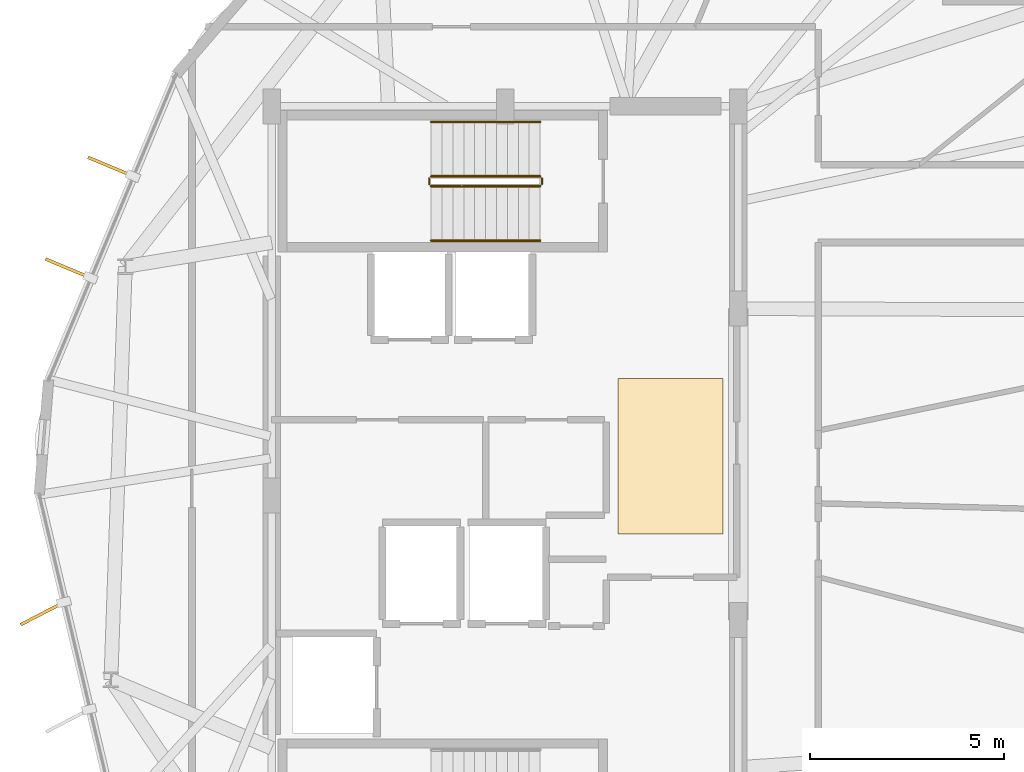
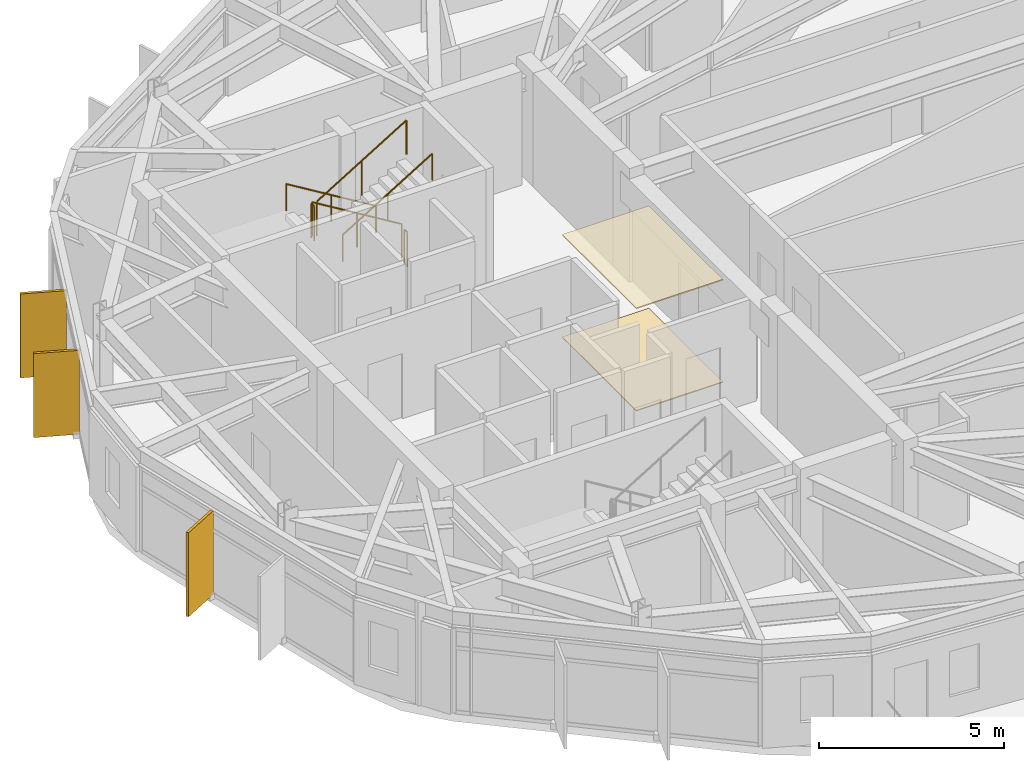
# One storey, part 22 of 23: 6 railings, 3 shading devices, 2 coverings.
"""IFC4 building model written with IfcOpenShell, lengths in metres."""

from ifc_helpers import new_model, si_unit, direction, frame, origin, origin_2d, place, context, subcontext, project, spatial, polyline, rectangle, circle, outline, extrude, material, layer, layer_set, type_object, element, save


model = new_model("IFC4")

# Units and contexts
model_context = context("Model", 3, precision=1e-05, world=origin(), true_north=direction((0.0, 1.0)))
body_context = subcontext(model_context, "Body", "Model", "MODEL_VIEW")
ifc_project = project(units=[si_unit("LENGTHUNIT", "METRE"), si_unit("AREAUNIT", "SQUARE_METRE"), si_unit("VOLUMEUNIT", "CUBIC_METRE"), si_unit("PLANEANGLEUNIT", "RADIAN"), si_unit("MASSUNIT", "GRAM", prefix="KILO")], contexts=[model_context])

# Site, building, storey
site_placement = place(None, origin())
site = spatial("IfcSite", under=ifc_project, at=site_placement, CompositionType="ELEMENT")
building_placement = place(site_placement, origin())
building = spatial("IfcBuilding", under=site, at=building_placement, Name="Soratama Intermodal Tower", CompositionType="ELEMENT")
storey_placement = place(building_placement, frame((0.0, 0.0, 280.0)))
storey = spatial("IfcBuildingStorey", under=building, at=storey_placement, Name="L71", CompositionType="ELEMENT", Elevation=280.0)

# Coverings
ifc_material_1 = material(Name="Perforated mineral acoustic ceiling", Category="concrete")
ifc_layer_1 = layer(ifc_material_1, 0.0400390625)
ifc_layer_set_1 = layer_set([ifc_layer_1], Name="Perforated mineral acoustic ceiling")
covering_type_1 = type_object("IfcCoveringType", Name="CV-CEIL-ACOUSTIC", PredefinedType="CEILING", material=ifc_layer_set_1)
covering_1_placement = place(storey_placement, frame((0.0, 0.0, 3.3701171875)))
element("IfcCovering", 1, at=covering_1_placement, inside=storey, type_object=covering_type_1, Name="L71 Acoustic Ceiling", PredefinedType="CEILING", context=body_context, shape_type="SweptSolid", body=[
    extrude(outline(polyline([(41.5, 24.0), (44.199951171875, 24.0), (44.199951171875, 28.0), (41.5, 28.0), (41.5, 24.0)])), origin(), (0.0, 0.0, 1.0), 0.039794921875),
])
ifc_material_2 = material(Name="Polished Andean stone terrazzo flooring", Category="masonry")
ifc_layer_2 = layer(ifc_material_2, 0.030029296875)
ifc_layer_set_2 = layer_set([ifc_layer_2], Name="Polished Andean stone terrazzo flooring")
covering_type_2 = type_object("IfcCoveringType", Name="CV-FLOR-TERRAZZO", PredefinedType="FLOORING", material=ifc_layer_set_2)
covering_2_placement = place(storey_placement, origin())
element("IfcCovering", 2, at=covering_2_placement, inside=storey, type_object=covering_type_2, Name="L71 Lobby Terrazzo Flooring", PredefinedType="FLOORING", context=body_context, shape_type="SweptSolid", body=[
    extrude(outline(polyline([(41.5, 24.0), (44.199951171875, 24.0), (44.199951171875, 28.0), (41.5, 28.0), (41.5, 24.0)])), origin(), (0.0, 0.0, 1.0), 0.030029296875),
])

# Railings
ifc_material_3 = material(Name="Painted steel stair guardrail", Category="steel")
railing_type_1 = type_object("IfcRailingType", Name="RL-STAIR-GUARD", PredefinedType="GUARDRAIL", material=ifc_material_3)
railing_1_placement = place(storey_placement, frame((39.5, 33.199951171875, 0.17041015625)))
element("IfcRailing", 3, at=railing_1_placement, inside=storey, type_object=railing_type_1, Name="L71 ST-2 stair guard 1", PredefinedType="GUARDRAIL", context=body_context, shape_type="SweptSolid", body=[
    extrude(circle(Radius=0.02392578125, at=origin_2d()), frame((0.0, 0.0, 1.1259765625), z_axis=(-0.854169791009, 0.0, 0.51999420009), x_axis=(0.0, -1.0, 0.0)), (0.0, 0.0, 1.0), 3.278076171875),
    extrude(circle(Radius=0.02099609375, at=origin_2d()), origin(), (0.0, 0.0, 1.0), 1.101806640625),
    extrude(circle(Radius=0.02099609375, at=origin_2d()), frame((-1.39990234375, 0.0, 0.852294921875)), (0.0, 0.0, 1.0), 1.101806640625),
    extrude(circle(Radius=0.02099609375, at=origin_2d()), frame((-2.800048828125, 0.0, 1.70458984375)), (0.0, 0.0, 1.0), 1.101806640625),
])
railing_2_placement = place(storey_placement, frame((36.64990234375, 33.14990234375, 1.875)))
element("IfcRailing", 4, at=railing_2_placement, inside=storey, type_object=railing_type_1, Name="L71 ST-2 stair guard 2", PredefinedType="GUARDRAIL", context=body_context, shape_type="SweptSolid", body=[
    extrude(circle(Radius=0.02392578125, at=origin_2d()), frame((0.0, 0.0, 1.1259765625), z_axis=(0.0, -1.0, 0.0), x_axis=(1.0, 0.0, 0.0)), (0.0, 0.0, 1.0), 0.14990234375),
    extrude(circle(Radius=0.02099609375, at=origin_2d()), origin(), (0.0, 0.0, 1.0), 1.101806640625),
    extrude(circle(Radius=0.02099609375, at=origin_2d()), frame((0.0, -0.14990234375, 0.0)), (0.0, 0.0, 1.0), 1.101806640625),
])
railing_3_placement = place(storey_placement, frame((36.699951171875, 32.949951171875, 2.04541015625)))
element("IfcRailing", 5, at=railing_3_placement, inside=storey, type_object=railing_type_1, Name="L71 ST-2 stair guard 3", PredefinedType="GUARDRAIL", context=body_context, shape_type="SweptSolid", body=[
    extrude(circle(Radius=0.02392578125, at=origin_2d()), frame((0.0, 0.0, 1.1259765625), z_axis=(0.854169791009, 0.0, 0.51999420009), x_axis=(0.0, 1.0, 0.0)), (0.0, 0.0, 1.0), 3.278076171875),
    extrude(circle(Radius=0.02099609375, at=origin_2d()), origin(), (0.0, 0.0, 1.0), 1.101806640625),
    extrude(circle(Radius=0.02099609375, at=origin_2d()), frame((1.39990234375, 0.0, 0.852294921875)), (0.0, 0.0, 1.0), 1.101806640625),
    extrude(circle(Radius=0.02099609375, at=origin_2d()), frame((2.800048828125, 0.0, 1.70458984375)), (0.0, 0.0, 1.0), 1.101806640625),
])
railing_4_placement = place(storey_placement, frame((39.550048828125, 33.14990234375, 0.0)))
element("IfcRailing", 6, at=railing_4_placement, inside=storey, type_object=railing_type_1, Name="L71 ST-2 stair guard 4", PredefinedType="GUARDRAIL", context=body_context, shape_type="SweptSolid", body=[
    extrude(circle(Radius=0.02392578125, at=origin_2d()), frame((0.0, 0.0, 1.1259765625), z_axis=(0.0, -1.0, 0.0), x_axis=(1.0, 0.0, 0.0)), (0.0, 0.0, 1.0), 0.14990234375),
    extrude(circle(Radius=0.02099609375, at=origin_2d()), origin(), (0.0, 0.0, 1.0), 1.101806640625),
    extrude(circle(Radius=0.02099609375, at=origin_2d()), frame((0.0, -0.14990234375, 0.0)), (0.0, 0.0, 1.0), 1.101806640625),
])
ifc_material_4 = material(Name="Brushed stainless steel handrail", Category="steel")
railing_type_2 = type_object("IfcRailingType", Name="RL-STAIR-HAND", PredefinedType="HANDRAIL", material=ifc_material_4)
railing_5_placement = place(storey_placement, frame((39.5, 34.60009765625, 0.17041015625)))
element("IfcRailing", 7, at=railing_5_placement, inside=storey, type_object=railing_type_2, Name="L71 ST-2 stair handrail 1", PredefinedType="HANDRAIL", context=body_context, shape_type="SweptSolid", body=[
    extrude(circle(Radius=0.02392578125, at=origin_2d()), frame((0.0, 0.0, 0.8759765625), z_axis=(-0.854169791009, 0.0, 0.51999420009), x_axis=(0.0, -1.0, 0.0)), (0.0, 0.0, 1.0), 3.278076171875),
    extrude(circle(Radius=0.02099609375, at=origin_2d()), origin(), (0.0, 0.0, 1.0), 0.851806640625),
    extrude(circle(Radius=0.02099609375, at=origin_2d()), frame((-1.39990234375, 0.0, 0.852294921875)), (0.0, 0.0, 1.0), 0.851806640625),
    extrude(circle(Radius=0.02099609375, at=origin_2d()), frame((-2.800048828125, 0.0, 1.70458984375)), (0.0, 0.0, 1.0), 0.851806640625),
])
railing_6_placement = place(storey_placement, frame((36.699951171875, 31.550048828125, 2.04541015625)))
element("IfcRailing", 8, at=railing_6_placement, inside=storey, type_object=railing_type_2, Name="L71 ST-2 stair handrail 2", PredefinedType="HANDRAIL", context=body_context, shape_type="SweptSolid", body=[
    extrude(circle(Radius=0.02392578125, at=origin_2d()), frame((0.0, 0.0, 0.8759765625), z_axis=(0.854169791009, 0.0, 0.51999420009), x_axis=(0.0, 1.0, 0.0)), (0.0, 0.0, 1.0), 3.278076171875),
    extrude(circle(Radius=0.02099609375, at=origin_2d()), origin(), (0.0, 0.0, 1.0), 0.851806640625),
    extrude(circle(Radius=0.02099609375, at=origin_2d()), frame((1.39990234375, 0.0, 0.852294921875)), (0.0, 0.0, 1.0), 0.851806640625),
    extrude(circle(Radius=0.02099609375, at=origin_2d()), frame((2.800048828125, 0.0, 1.70458984375)), (0.0, 0.0, 1.0), 0.851806640625),
])

# Shading devices
ifc_material_5 = material(Name="Champagne anodised aluminium solar fin", Category="aluminium")
ifc_layer_3 = layer(ifc_material_5, 0.080078125)
ifc_layer_set_3 = layer_set([ifc_layer_3], Name="Champagne anodised aluminium solar fin")
shading_device_type = type_object("IfcShadingDeviceType", Name="SH-FIN-1250", PredefinedType="USERDEFINED", material=ifc_layer_set_3)
for number, where, z_axis, x_axis, name in (
    (9, (28.453857421875, 33.449951171875, 0.02001953125), (0.0, 0.0, 1.0), (-0.92267273987, 0.385583992277, 0.0), "L71 Solar Fin F03-1"),
    (10, (27.361328125, 30.835693359375, 0.02001953125), (0.0, 0.0, 1.0), (-0.92267273987, 0.385583992277, 0.0), "L71 Solar Fin F03-2"),
    (11, (26.702392578125, 21.9619140625, 0.02001953125), (0.0, 0.0, 1.0), (-0.887574303404, -0.460664580728, 0.0), "L71 Solar Fin F04-1"),
):
    element("IfcShadingDevice", number, at=place(storey_placement, frame(where, z_axis=z_axis, x_axis=x_axis)), inside=storey, type_object=shading_device_type, Name=name, ObjectType="FIN", PredefinedType="USERDEFINED", context=body_context, shape_type="SweptSolid", body=[
        extrude(rectangle(XDim=1.25, YDim=0.080078125, at=origin_2d()), origin(), (0.0, 0.0, 1.0), 2.76904296875),
    ])

save(model, "model.ifc")
